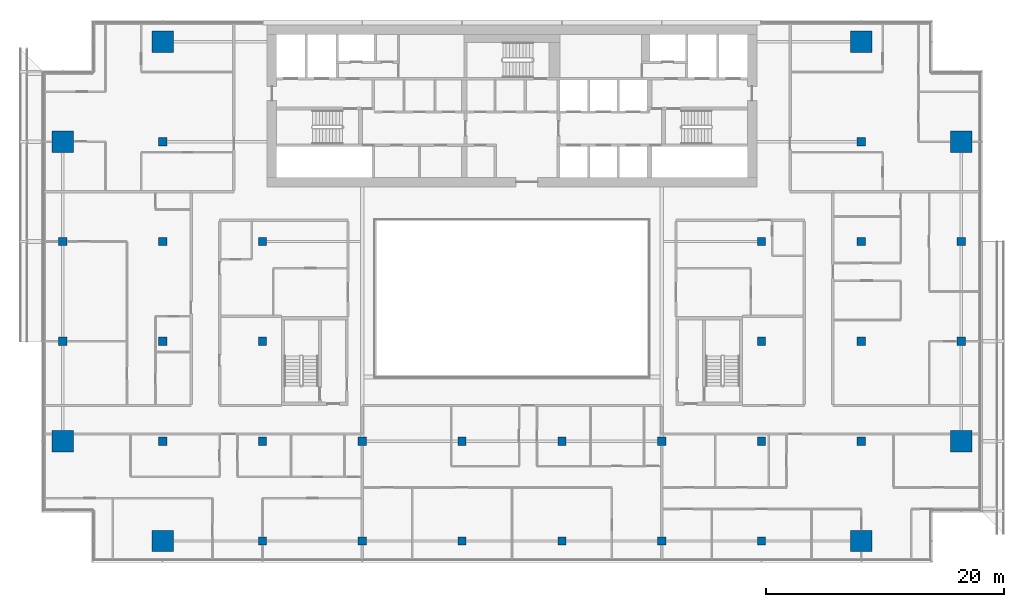
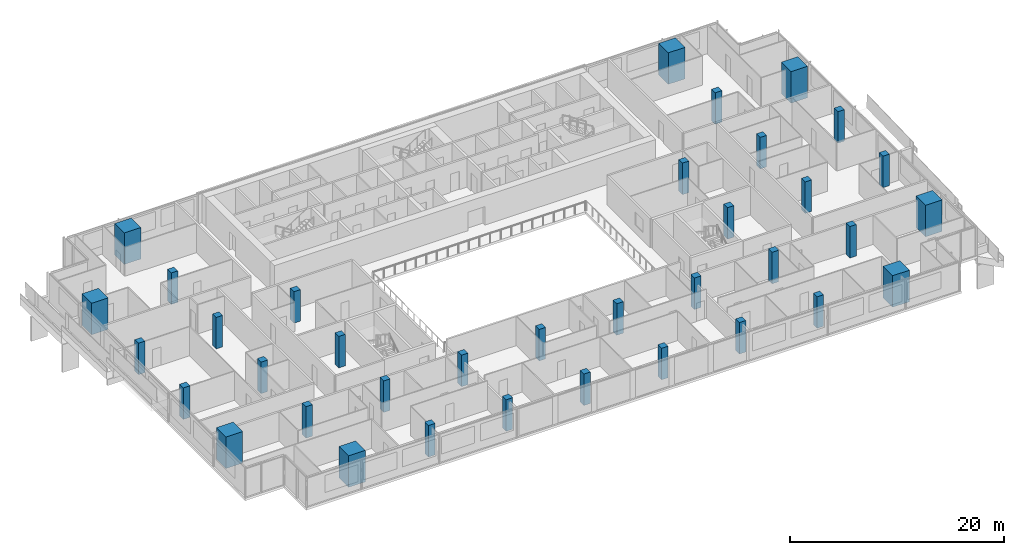
# One storey, part 1 of 27: 36 columns.
"""IFC4 building model written with IfcOpenShell, lengths in metres."""

from ifc_helpers import new_model, si_unit, direction, frame, origin, origin_2d, place, context, subcontext, project, spatial, rectangle, extrude, material, material_profile, profile_set, type_object, element, save


model = new_model("IFC4")

# Units and contexts
model_context = context("Model", 3, precision=1e-05, world=origin(), true_north=direction((0.0, 1.0)))
body_context = subcontext(model_context, "Body", "Model", "MODEL_VIEW")
ifc_project = project(units=[si_unit("LENGTHUNIT", "METRE"), si_unit("AREAUNIT", "SQUARE_METRE"), si_unit("VOLUMEUNIT", "CUBIC_METRE"), si_unit("PLANEANGLEUNIT", "RADIAN"), si_unit("MASSUNIT", "GRAM", prefix="KILO")], contexts=[model_context])

# Site, building, storey
site_placement = place(None, origin())
site = spatial("IfcSite", under=ifc_project, at=site_placement, CompositionType="ELEMENT")
building_placement = place(site_placement, origin())
building = spatial("IfcBuilding", under=site, at=building_placement, Name="Saffron Gate Tower", CompositionType="ELEMENT")
storey_placement = place(building_placement, frame((0.0, 0.0, 183.449951171875)))
storey = spatial("IfcBuildingStorey", under=building, at=storey_placement, Name="L45", CompositionType="ELEMENT", Elevation=183.449951171875)

# Columns
ifc_material_1 = material(Name="Concrete C50", Category="concrete")
ifc_material_profile_1 = material_profile(ifc_material_1, rectangle(XDim=0.699951171875, YDim=0.699951171875, at=origin_2d()))
ifc_profile_set_1 = profile_set([ifc_material_profile_1], Name="Concrete C50")
column_type_1 = type_object("IfcColumnType", Name="C3 RC 700x700 CONCRETE C50", PredefinedType="COLUMN", material=ifc_profile_set_1)
for number, where, z_axis, x_axis, name in (
    (1, (49.800048828125, 48.60009765625, 0.0), (0.0, 0.0, 1.0), (1.0, 0.0, 0.0), "C3 COLUMN X1-C"),
    (2, (49.800048828125, 57.0, 0.0), (0.0, 0.0, 1.0), (1.0, 0.0, 0.0), "C3 COLUMN X1-D"),
    (3, (58.199951171875, 40.199951171875, 0.0), (0.0, 0.0, 1.0), (1.0, 0.0, 0.0), "C3 COLUMN X2-B"),
    (4, (58.199951171875, 48.60009765625, 0.0), (0.0, 0.0, 1.0), (1.0, 0.0, 0.0), "C3 COLUMN X2-C"),
    (5, (58.199951171875, 57.0, 0.0), (0.0, 0.0, 1.0), (1.0, 0.0, 0.0), "C3 COLUMN X2-D"),
    (6, (58.199951171875, 65.39990234375, 0.0), (0.0, 0.0, 1.0), (1.0, 0.0, 0.0), "C3 COLUMN X2-E"),
    (7, (66.60009765625, 31.800048828125, 0.0), (0.0, 0.0, 1.0), (1.0, 0.0, 0.0), "C3 COLUMN X3-A"),
    (8, (66.60009765625, 40.199951171875, 0.0), (0.0, 0.0, 1.0), (1.0, 0.0, 0.0), "C3 COLUMN X3-B"),
    (9, (66.60009765625, 48.60009765625, 0.0), (0.0, 0.0, 1.0), (1.0, 0.0, 0.0), "C3 COLUMN X3-C"),
    (10, (66.60009765625, 57.0, 0.0), (0.0, 0.0, 1.0), (1.0, 0.0, 0.0), "C3 COLUMN X3-D"),
    (11, (75.0, 31.800048828125, 0.0), (0.0, 0.0, 1.0), (1.0, 0.0, 0.0), "C3 COLUMN X4-A"),
    (12, (75.0, 40.199951171875, 0.0), (0.0, 0.0, 1.0), (1.0, 0.0, 0.0), "C3 COLUMN X4-B"),
    (13, (83.39990234375, 31.800048828125, 0.0), (0.0, 0.0, 1.0), (1.0, 0.0, 0.0), "C3 COLUMN X5-A"),
    (14, (83.39990234375, 40.199951171875, 0.0), (0.0, 0.0, 1.0), (1.0, 0.0, 0.0), "C3 COLUMN X5-B"),
    (15, (91.800048828125, 31.800048828125, 0.0), (0.0, 0.0, 1.0), (1.0, 0.0, 0.0), "C3 COLUMN X6-A"),
    (16, (91.800048828125, 40.199951171875, 0.0), (0.0, 0.0, 1.0), (1.0, 0.0, 0.0), "C3 COLUMN X6-B"),
    (17, (100.199951171875, 31.800048828125, 0.0), (0.0, 0.0, 1.0), (1.0, 0.0, 0.0), "C3 COLUMN X7-A"),
    (18, (100.199951171875, 40.199951171875, 0.0), (0.0, 0.0, 1.0), (1.0, 0.0, 0.0), "C3 COLUMN X7-B"),
    (19, (108.60009765625, 31.800048828125, 0.0), (0.0, 0.0, 1.0), (1.0, 0.0, 0.0), "C3 COLUMN X8-A"),
    (20, (108.60009765625, 40.199951171875, 0.0), (0.0, 0.0, 1.0), (1.0, 0.0, 0.0), "C3 COLUMN X8-B"),
    (21, (108.60009765625, 48.60009765625, 0.0), (0.0, 0.0, 1.0), (1.0, 0.0, 0.0), "C3 COLUMN X8-C"),
    (22, (108.60009765625, 57.0, 0.0), (0.0, 0.0, 1.0), (1.0, 0.0, 0.0), "C3 COLUMN X8-D"),
    (23, (117.0, 40.199951171875, 0.0), (0.0, 0.0, 1.0), (1.0, 0.0, 0.0), "C3 COLUMN X9-B"),
    (24, (117.0, 48.60009765625, 0.0), (0.0, 0.0, 1.0), (1.0, 0.0, 0.0), "C3 COLUMN X9-C"),
    (25, (117.0, 57.0, 0.0), (0.0, 0.0, 1.0), (1.0, 0.0, 0.0), "C3 COLUMN X9-D"),
    (26, (117.0, 65.39990234375, 0.0), (0.0, 0.0, 1.0), (1.0, 0.0, 0.0), "C3 COLUMN X9-E"),
    (27, (125.39990234375, 48.60009765625, 0.0), (0.0, 0.0, 1.0), (1.0, 0.0, 0.0), "C3 COLUMN X10-C"),
    (28, (125.39990234375, 57.0, 0.0), (0.0, 0.0, 1.0), (1.0, 0.0, 0.0), "C3 COLUMN X10-D"),
):
    element("IfcColumn", number, at=place(storey_placement, frame(where, z_axis=z_axis, x_axis=x_axis)), inside=storey, type_object=column_type_1, Name=name, PredefinedType="COLUMN", context=body_context, shape_type="SweptSolid", body=[
        extrude(rectangle(XDim=0.699951171875, YDim=0.699951171875, at=origin_2d()), origin(), (0.0, 0.0, 1.0), 3.60009765625),
    ])
ifc_material_2 = material(Name="Concrete C70", Category="concrete")
ifc_material_profile_2 = material_profile(ifc_material_2, rectangle(XDim=1.800048828125, YDim=1.800048828125, at=origin_2d()))
ifc_profile_set_2 = profile_set([ifc_material_profile_2], Name="Concrete C70")
column_type_2 = type_object("IfcColumnType", Name="MC2 RC 1800x1800 CONCRETE C70", PredefinedType="COLUMN", material=ifc_profile_set_2)
for number, where, z_axis, x_axis, name in (
    (29, (49.800048828125, 40.199951171875, 0.0), (0.0, 0.0, 1.0), (1.0, 0.0, 0.0), "MC2 MEGA COLUMN X1-B"),
    (30, (49.800048828125, 65.39990234375, 0.0), (0.0, 0.0, 1.0), (1.0, 0.0, 0.0), "MC2 MEGA COLUMN X1-E"),
    (31, (58.199951171875, 31.800048828125, 0.0), (0.0, 0.0, 1.0), (1.0, 0.0, 0.0), "MC2 MEGA COLUMN X2-A"),
    (32, (58.199951171875, 73.800048828125, 0.0), (0.0, 0.0, 1.0), (1.0, 0.0, 0.0), "MC2 MEGA COLUMN X2-F"),
    (33, (117.0, 31.800048828125, 0.0), (0.0, 0.0, 1.0), (1.0, 0.0, 0.0), "MC2 MEGA COLUMN X9-A"),
    (34, (117.0, 73.800048828125, 0.0), (0.0, 0.0, 1.0), (1.0, 0.0, 0.0), "MC2 MEGA COLUMN X9-F"),
    (35, (125.39990234375, 40.199951171875, 0.0), (0.0, 0.0, 1.0), (1.0, 0.0, 0.0), "MC2 MEGA COLUMN X10-B"),
    (36, (125.39990234375, 65.39990234375, 0.0), (0.0, 0.0, 1.0), (1.0, 0.0, 0.0), "MC2 MEGA COLUMN X10-E"),
):
    element("IfcColumn", number, at=place(storey_placement, frame(where, z_axis=z_axis, x_axis=x_axis)), inside=storey, type_object=column_type_2, Name=name, PredefinedType="COLUMN", context=body_context, shape_type="SweptSolid", body=[
        extrude(rectangle(XDim=1.800048828125, YDim=1.800048828125, at=origin_2d()), origin(), (0.0, 0.0, 1.0), 3.60009765625),
    ])

save(model, "model.ifc")
